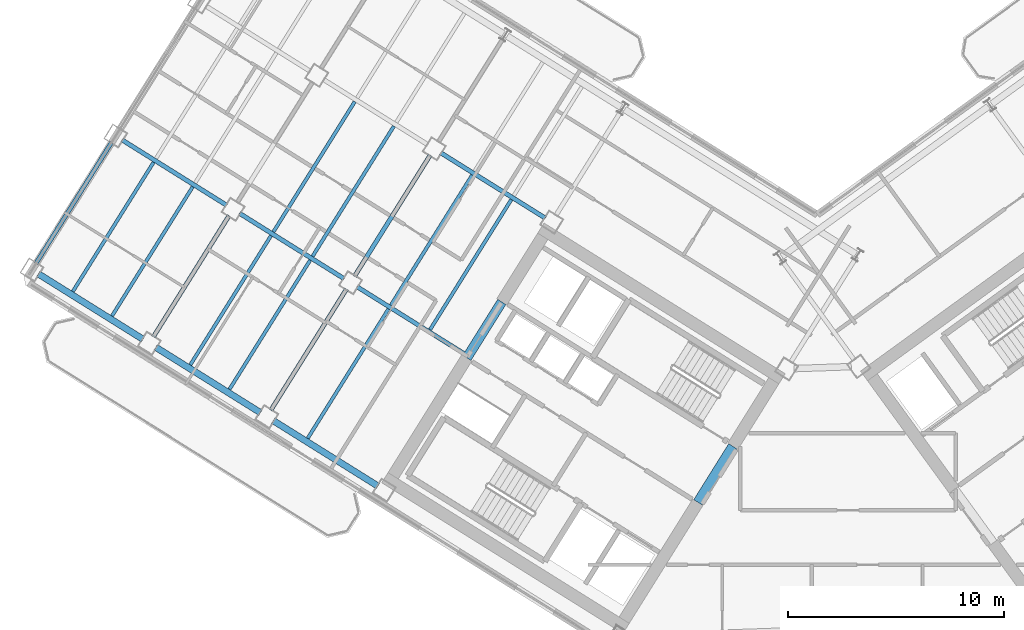
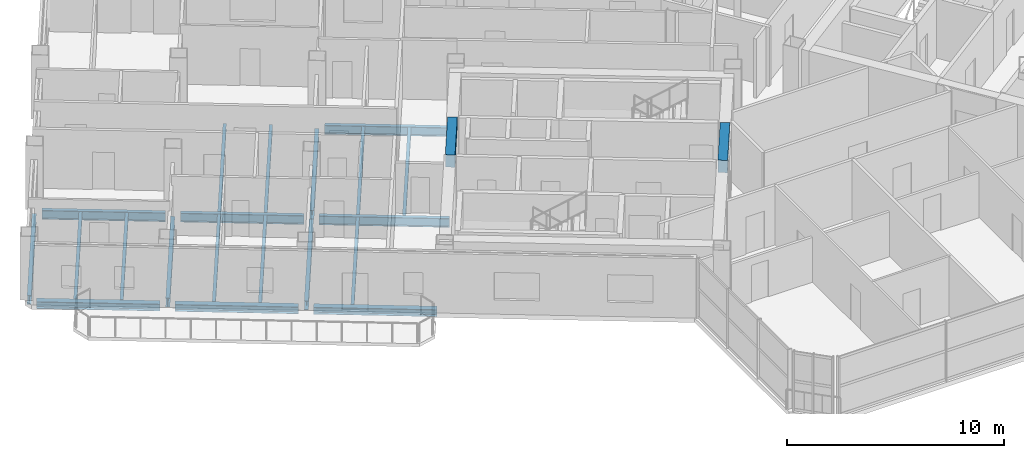
# One storey, part 5 of 21: 22 beams.
"""IFC4 building model written with IfcOpenShell, lengths in metres."""

import ifcopenshell
import ifcopenshell.guid

model = None  # the IFC model being written
_history = None  # IfcOwnerHistory: only IFC2X3 demands one
_inside = {}  # id of a spatial element -> (the spatial element, [elements in it])
_under = {}  # id of a project, library or spatial element -> (it, [spatial elements below it])
_declared = {}  # id of a project -> (the project, [libraries it declares])
_typed = {}  # id of a type object -> (the type object, [elements of that type])
_made_of = {}  # id of a material, layer set ... -> (it, [elements and type objects made of it])


def new_model(schema):
    """Start an empty IFC model of exactly this schema.

    Asked for "IFC4X3", IfcOpenShell would pick the latest addendum, in which some entities
    have other attributes; the version numbers below select the first issue.
    IFC2X3 requires an IfcOwnerHistory on every rooted entity: one is made here for all.
    """
    global model, _history
    if schema == "IFC4X3":
        model = ifcopenshell.file(schema_version=(4, 3, 0, 0))
    else:
        model = ifcopenshell.file(schema=schema)
    _inside.clear()
    _under.clear()
    _declared.clear()
    _typed.clear()
    _made_of.clear()
    _history = None
    if model.schema == "IFC2X3":
        org = make("IfcOrganization", Name="unknown")
        user = make(
            "IfcPersonAndOrganization",
            ThePerson=make("IfcPerson", FamilyName="unknown"),
            TheOrganization=org,
        )
        app = make(
            "IfcApplication",
            ApplicationDeveloper=org,
            Version="unknown",
            ApplicationFullName="unknown",
            ApplicationIdentifier="unknown",
        )
        _history = make(
            "IfcOwnerHistory",
            OwningUser=user,
            OwningApplication=app,
            ChangeAction="ADDED",
            CreationDate=0,
        )
    return model


def make(cls, **values):
    """One entity of the class cls with the attributes given. An attribute that is None is left unset."""
    return model.create_entity(
        cls, **{name: value for name, value in values.items() if value is not None}
    )


def rooted(cls, **values):
    """An entity with a GlobalId (a new one), such as an element, a storey or a relation."""
    return make(cls, GlobalId=ifcopenshell.guid.new(), OwnerHistory=_history, **values)


def si_unit(unit_type, name, prefix=None):
    """IfcSIUnit, for example si_unit("LENGTHUNIT", "METRE", prefix="MILLI")."""
    return make("IfcSIUnit", UnitType=unit_type, Prefix=prefix, Name=name)


def assignment(units):
    """IfcUnitAssignment: the units of a project."""
    return None if units is None else make("IfcUnitAssignment", Units=units)


def point(xyz):
    """IfcCartesianPoint."""
    return None if xyz is None else make("IfcCartesianPoint", Coordinates=xyz)


def direction(xyz):
    """IfcDirection."""
    return None if xyz is None else make("IfcDirection", DirectionRatios=xyz)


def frame(location, z_axis=None, x_axis=None):
    """IfcAxis2Placement3D, a coordinate frame: its origin and axes. An axis left out is left unset."""
    return make(
        "IfcAxis2Placement3D",
        Location=point(location),
        Axis=direction(z_axis),
        RefDirection=direction(x_axis),
    )


def frame_2d(location, x_axis=None):
    """IfcAxis2Placement2D, a coordinate frame in the plane: its origin and x axis."""
    return make(
        "IfcAxis2Placement2D", Location=point(location), RefDirection=direction(x_axis)
    )


def origin():
    """The frame at (0, 0, 0) with its axes left unset."""
    return frame((0.0, 0.0, 0.0))


def origin_2d():
    """The frame at (0, 0) in the plane with its x axis left unset."""
    return frame_2d((0.0, 0.0))


def place(relative_to, where):
    """IfcLocalPlacement: puts the frame where relative to a parent placement (None: the world)."""
    return make(
        "IfcLocalPlacement", PlacementRelTo=relative_to, RelativePlacement=where
    )


def context(
    kind, dimensions, precision=None, world=None, true_north=None, identifier=None
):
    """IfcGeometricRepresentationContext, for example the 3D "Model" context."""
    return make(
        "IfcGeometricRepresentationContext",
        ContextIdentifier=identifier,
        ContextType=kind,
        CoordinateSpaceDimension=dimensions,
        Precision=precision,
        WorldCoordinateSystem=world,
        TrueNorth=true_north,
    )


def subcontext(parent, identifier, kind, view, scale=None):
    """IfcGeometricRepresentationSubContext, for example "Body" below "Model"."""
    return make(
        "IfcGeometricRepresentationSubContext",
        ContextIdentifier=identifier,
        ContextType=kind,
        ParentContext=parent,
        TargetScale=scale,
        TargetView=view,
    )


def project(units=None, contexts=None):
    """IfcProject with its units and contexts."""
    return rooted(
        "IfcProject",
        Name="project",
        RepresentationContexts=contexts,
        UnitsInContext=assignment(units),
    )


def spatial(cls, under=None, at=None, **own):
    """A site, building, storey or space (cls), placed at a placement, below another one or the project."""
    s = rooted(cls, ObjectPlacement=at, **own)
    if under is not None:
        _under.setdefault(under.id(), (under, []))[1].append(s)
    return s


def profile(cls, at=None, kind="AREA", **sizes):
    """A parametric profile (cls). Its sizes go by their IFC names, for example OverallWidth=200.0."""
    return make(cls, ProfileType=kind, Position=at, **sizes)


def rectangle(**sizes):
    """IfcRectangleProfileDef."""
    return profile("IfcRectangleProfileDef", **sizes)


def i_section(**sizes):
    """IfcIShapeProfileDef."""
    return profile("IfcIShapeProfileDef", **sizes)


def extrude(swept, where, along, depth):
    """IfcExtrudedAreaSolid: the profile swept, set in the frame where, extruded along a direction by depth."""
    return make(
        "IfcExtrudedAreaSolid",
        SweptArea=swept,
        Position=where,
        ExtrudedDirection=direction(along),
        Depth=depth,
    )


def shape(context_of_items, identifier, shape_type, items):
    """IfcShapeRepresentation: the items that make up one representation, for example the "Body"."""
    return make(
        "IfcShapeRepresentation",
        ContextOfItems=context_of_items,
        RepresentationIdentifier=identifier,
        RepresentationType=shape_type,
        Items=items,
    )


def source(mapping_origin, context_of_items, identifier, shape_type, items):
    """IfcRepresentationMap: a shape defined once, which mapped items show again and again."""
    return make(
        "IfcRepresentationMap",
        MappingOrigin=mapping_origin,
        MappedRepresentation=shape(context_of_items, identifier, shape_type, items),
    )


def transform(
    local_origin,
    x_axis=None,
    y_axis=None,
    z_axis=None,
    scale=None,
    scale2=None,
    scale3=None,
    uniform=True,
):
    """IfcCartesianTransformationOperator3D, or its non-uniform kind. x_axis, y_axis, z_axis: its Axis1, 2, 3."""
    if uniform:
        return make(
            "IfcCartesianTransformationOperator3D",
            Axis1=direction(x_axis),
            Axis2=direction(y_axis),
            LocalOrigin=point(local_origin),
            Scale=scale,
            Axis3=direction(z_axis),
        )
    return make(
        "IfcCartesianTransformationOperator3DnonUniform",
        Axis1=direction(x_axis),
        Axis2=direction(y_axis),
        LocalOrigin=point(local_origin),
        Scale=scale,
        Axis3=direction(z_axis),
        Scale2=scale2,
        Scale3=scale3,
    )


def mapped(mapping_source, mapping_target):
    """IfcMappedItem: shows the shape of a source again, moved by a transform."""
    return make(
        "IfcMappedItem", MappingSource=mapping_source, MappingTarget=mapping_target
    )


def material(Name=None, Category=None):
    """IfcMaterial."""
    return make("IfcMaterial", Name=Name, Category=Category)


def material_profile(
    of_material, cross_section, Name=None, Category=None, Priority=None
):
    """IfcMaterialProfile: a cross section and its material."""
    return make(
        "IfcMaterialProfile",
        Name=Name,
        Material=of_material,
        Profile=cross_section,
        Priority=Priority,
        Category=Category,
    )


def profile_set(profiles, Name=None, composite=None):
    """IfcMaterialProfileSet."""
    return make(
        "IfcMaterialProfileSet",
        Name=Name,
        MaterialProfiles=profiles,
        CompositeProfile=composite,
    )


def made_of(thing, what):
    """Note that an element or type object is made of a material, layer set ...; save() writes the relation."""
    if what is not None:
        _made_of.setdefault(what.id(), (what, []))[1].append(thing)
    return thing


def type_object(cls, material=None, **own):
    """A type object (cls), such as IfcWallType, which elements share."""
    return made_of(rooted(cls, **own), material)


def element(
    cls,
    number,
    at=None,
    inside=None,
    cuts=None,
    type_object=None,
    material=None,
    context=None,
    identifier="Body",
    shape_type=None,
    held_by="IfcProductDefinitionShape",
    body=None,
    shapes=None,
    **own,
):
    """One element of the class cls, such as IfcWall. Its Tag is "e" and its number.

    at: its placement. inside: the storey or other place that contains it. cuts: it is an
    opening in that element (IfcRelVoidsElement). A single representation is given by context,
    identifier, shape_type and body (its items); several are given by shapes. held_by: the class
    of the entity that holds the representations. save() writes the other relations.
    """
    e = rooted(cls, Tag="e%d" % number, ObjectPlacement=at, **own)
    if body is not None:
        shapes = [shape(context, identifier, shape_type, body)]
    if shapes is not None:
        e.Representation = make(held_by, Representations=shapes)
    if inside is not None:
        _inside.setdefault(inside.id(), (inside, []))[1].append(e)
    if cuts is not None:
        rooted(
            "IfcRelVoidsElement", RelatingBuildingElement=cuts, RelatedOpeningElement=e
        )
    if type_object is not None:
        _typed.setdefault(type_object.id(), (type_object, []))[1].append(e)
    return made_of(e, material)


def aggregate(whole, parts):
    """IfcRelAggregates: a whole, such as a stair, and the parts it consists of."""
    return rooted("IfcRelAggregates", RelatingObject=whole, RelatedObjects=parts)


def save(model, path):
    """Write the relations noted so far, then the file.

    IfcRelAggregates (storeys below a building ...), IfcRelContainedInSpatialStructure (elements
    in a storey), IfcRelDefinesByType, IfcRelAssociatesMaterial and IfcRelDeclares: one each for
    every whole, place, type object, material and project.
    """
    for whole, parts in _under.values():
        aggregate(whole, parts)
    for where, things in _inside.values():
        rooted(
            "IfcRelContainedInSpatialStructure",
            RelatedElements=things,
            RelatingStructure=where,
        )
    for kind, things in _typed.values():
        rooted("IfcRelDefinesByType", RelatedObjects=things, RelatingType=kind)
    for what, things in _made_of.values():
        rooted("IfcRelAssociatesMaterial", RelatedObjects=things, RelatingMaterial=what)
    for by, libraries in _declared.values():
        rooted("IfcRelDeclares", RelatingContext=by, RelatedDefinitions=libraries)
    model.write(path)


model = new_model("IFC4")

# Units and contexts
model_context = context("Model", 3, precision=1e-05, world=origin(), true_north=direction((0.0, 1.0)))
body_context = subcontext(model_context, "Body", "Model", "MODEL_VIEW")
ifc_project = project(units=[si_unit("LENGTHUNIT", "METRE"), si_unit("AREAUNIT", "SQUARE_METRE"), si_unit("VOLUMEUNIT", "CUBIC_METRE"), si_unit("PLANEANGLEUNIT", "RADIAN"), si_unit("MASSUNIT", "GRAM", prefix="KILO")], contexts=[model_context])

# Site, building, storey
site_placement = place(None, origin())
site = spatial("IfcSite", under=ifc_project, at=site_placement, CompositionType="ELEMENT")
building_placement = place(site_placement, origin())
building = spatial("IfcBuilding", under=site, at=building_placement, Name="Tlacorven Tower", CompositionType="ELEMENT")
storey_placement = place(building_placement, frame((0.0, 0.0, 184.199951171875)))
storey = spatial("IfcBuildingStorey", under=building, at=storey_placement, Name="L46", CompositionType="ELEMENT", Elevation=184.199951171875)

# Beams
ifc_material_1 = material(Name="Concrete C60/75", Category="concrete")
ifc_material_profile_1 = material_profile(ifc_material_1, rectangle(XDim=0.449951171875, YDim=0.699951171875, at=origin_2d()), Name="RC 450X700")
ifc_profile_set_1 = profile_set([ifc_material_profile_1], Name="Concrete C60/75")
beam_type_1 = type_object("IfcBeamType", Name="BM-LNT-700", PredefinedType="LINTEL", material=ifc_profile_set_1)
shared_shape_1 = source(origin(), body_context, "Body", "SweptSolid", [
    extrude(rectangle(XDim=0.449951171875, YDim=0.699951171875, at=origin_2d()), origin(), (0.0, 0.0, 1.0), 3.050048828125),
])
beam_1_placement = place(storey_placement, frame((38.2998046875, 20.890625, 3.0), z_axis=(-0.529984549635, -0.848007297815, 0.0), x_axis=(0.848007297815, -0.529984549635, 0.0)))
element("IfcBeam", 1, at=beam_1_placement, inside=storey, type_object=beam_type_1, Name="L46 W core coupling lintel beam E1", PredefinedType="LINTEL", context=body_context, shape_type="MappedRepresentation", body=[
    mapped(shared_shape_1, transform((0.0, 0.0, 0.0), scale=1.0)),
])
shared_shape_2 = source(origin(), body_context, "Body", "SweptSolid", [
    extrude(rectangle(XDim=0.449951171875, YDim=0.699951171875, at=origin_2d()), origin(), (0.0, 0.0, 1.0), 3.0498046875),
])
beam_2_placement = place(storey_placement, frame((27.622802734375, 27.562255859375, 3.0), z_axis=(-0.529926983584, -0.848043272522, 0.0), x_axis=(0.848043272522, -0.529926983584, 0.0)))
element("IfcBeam", 2, at=beam_2_placement, inside=storey, type_object=beam_type_1, Name="L46 W core coupling lintel beam E2", PredefinedType="LINTEL", context=body_context, shape_type="MappedRepresentation", body=[
    mapped(shared_shape_2, transform((0.0, 0.0, 0.0), scale=1.0)),
])
ifc_material_2 = material(Name="Steel S355J2", Category="steel")
ifc_material_profile_2 = material_profile(ifc_material_2, i_section(OverallWidth=0.199951171875, OverallDepth=0.5, WebThickness=0.01025390625, FlangeThickness=0.01611328125, at=origin_2d()), Name="IPE 500")
ifc_profile_set_2 = profile_set([ifc_material_profile_2], Name="Steel S355J2")
beam_type_2 = type_object("IfcBeamType", Name="BM-TWR-500", PredefinedType="BEAM", material=ifc_profile_set_2)
shared_shape_3 = source(origin(), body_context, "Body", "SweptSolid", [
    extrude(i_section(OverallWidth=0.199951171875, OverallDepth=0.5, WebThickness=0.01025390625, FlangeThickness=0.01611328125, at=origin_2d()), origin(), (0.0, 0.0, 1.0), 6.010009765625),
])
beam_3_placement = place(storey_placement, frame((26.025634765625, 25.081787109375, -0.5), z_axis=(-0.848043944584, 0.529925908081, 0.0), x_axis=(-0.529925908081, -0.848043944584, 0.0)))
element("IfcBeam", 3, at=beam_3_placement, inside=storey, type_object=beam_type_2, Name="L46 beam BM-L46-WL3-3", PredefinedType="BEAM", context=body_context, shape_type="MappedRepresentation", body=[
    mapped(shared_shape_3, transform((0.0, 0.0, 0.0), scale=1.0)),
])
shared_shape_4 = source(origin(), body_context, "Body", "SweptSolid", [
    extrude(i_section(OverallWidth=0.199951171875, OverallDepth=0.5, WebThickness=0.01025390625, FlangeThickness=0.01611328125, at=origin_2d()), origin(), (0.0, 0.0, 1.0), 5.7001953125),
])
for number, where, z_axis, x_axis, name in (
    (4, (20.335205078125, 28.637451171875, -0.5), (-0.848036800771, 0.529937340199, 0.0), (-0.529937340199, -0.848036800771, 0.0), "L46 beam BM-L46-WL3-4"),
    (5, (14.90771484375, 32.029052734375, -0.5), (-0.848056048787, 0.529906537151, 0.0), (-0.529906537151, -0.848056048787, 0.0), "L46 beam BM-L46-WL3-5"),
):
    element("IfcBeam", number, at=place(storey_placement, frame(where, z_axis=z_axis, x_axis=x_axis)), inside=storey, type_object=beam_type_2, Name=name, PredefinedType="BEAM", context=body_context, shape_type="MappedRepresentation", body=[
        mapped(shared_shape_4, transform((0.0, 0.0, 0.0), scale=1.0)),
    ])
shared_shape_5 = source(origin(), body_context, "Body", "SweptSolid", [
    extrude(i_section(OverallWidth=0.199951171875, OverallDepth=0.5, WebThickness=0.01025390625, FlangeThickness=0.01611328125, at=origin_2d()), origin(), (0.0, 0.0, 1.0), 5.699951171875),
])
beam_4_placement = place(storey_placement, frame((29.631103515625, 31.436767578125, -0.5), z_axis=(-0.848044021115, 0.529925785607, 0.0), x_axis=(-0.529925785607, -0.848044021115, 0.0)))
element("IfcBeam", 6, at=beam_4_placement, inside=storey, type_object=beam_type_2, Name="L46 beam BM-L46-WL2-3", PredefinedType="BEAM", context=body_context, shape_type="MappedRepresentation", body=[
    mapped(shared_shape_5, transform((0.0, 0.0, 0.0), scale=1.0)),
])
shared_shape_6 = source(origin(), body_context, "Body", "SweptSolid", [
    extrude(i_section(OverallWidth=0.199951171875, OverallDepth=0.5, WebThickness=0.01025390625, FlangeThickness=0.01611328125, at=origin_2d()), origin(), (0.0, 0.0, 1.0), 6.599853515625),
])
beam_5_placement = place(storey_placement, frame((24.31494140625, 34.345947265625, -0.5), z_axis=(-0.529942412256, -0.848033631227, 0.0), x_axis=(0.848033631227, -0.529942412256, 0.0)))
element("IfcBeam", 7, at=beam_5_placement, inside=storey, type_object=beam_type_2, Name="L46 beam BM-L46-WT4-2", PredefinedType="BEAM", context=body_context, shape_type="MappedRepresentation", body=[
    mapped(shared_shape_6, transform((0.0, 0.0, 0.0), scale=1.0)),
])
shared_shape_7 = source(origin(), body_context, "Body", "SweptSolid", [
    extrude(i_section(OverallWidth=0.199951171875, OverallDepth=0.5, WebThickness=0.01025390625, FlangeThickness=0.01611328125, at=origin_2d()), origin(), (0.0, 0.0, 1.0), 6.60009765625),
])
for number, where, z_axis, x_axis, name in (
    (8, (20.446533203125, 28.1552734375, -0.5), (-0.529925788294, -0.848044019436, 0.0), (0.848044019436, -0.529925788294, 0.0), "L46 beam BM-L46-WT4-3"),
    (9, (15.01904296875, 31.546875, -0.5), (-0.529925788294, -0.848044019436, 0.0), (0.848044019436, -0.529925788294, 0.0), "L46 beam BM-L46-WT5-3"),
    (10, (9.591552734375, 34.938232421875, -0.5), (-0.529925788294, -0.848044019436, 0.0), (0.848044019436, -0.529925788294, 0.0), "L46 beam BM-L46-WT6-3"),
):
    element("IfcBeam", number, at=place(storey_placement, frame(where, z_axis=z_axis, x_axis=x_axis)), inside=storey, type_object=beam_type_2, Name=name, PredefinedType="BEAM", context=body_context, shape_type="MappedRepresentation", body=[
        mapped(shared_shape_7, transform((0.0, 0.0, 0.0), scale=1.0)),
    ])
ifc_material_profile_3 = material_profile(ifc_material_2, i_section(OverallWidth=0.159912109375, OverallDepth=0.330078125, WebThickness=0.007568359375, FlangeThickness=0.011474609375, at=origin_2d()), Name="IPE 330")
ifc_profile_set_3 = profile_set([ifc_material_profile_3], Name="Steel S355J2")
beam_type_3 = type_object("IfcBeamType", Name="BM-JST-330", PredefinedType="JOIST", material=ifc_profile_set_3)
shared_shape_8 = source(origin(), body_context, "Body", "SweptSolid", [
    extrude(i_section(OverallWidth=0.159912109375, OverallDepth=0.330078125, WebThickness=0.007568359375, FlangeThickness=0.011474609375, at=origin_2d()), origin(), (0.0, 0.0, 1.0), 7.0400390625),
])
for number, where, z_axis, x_axis, name in (
    (11, (18.767333984375, 29.493408203125, -0.4150390625), (-0.529930359501, -0.848041162963, 0.0), (0.848041162963, -0.529930359501, 0.0), "L46 beam BM-L46-WJ4-3-1"),
    (12, (16.9580078125, 30.6240234375, -0.4150390625), (-0.529930359501, -0.848041162963, 0.0), (0.848041162963, -0.529930359501, 0.0), "L46 beam BM-L46-WJ4-3-2"),
    (13, (13.33984375, 32.885009765625, -0.4150390625), (-0.529930359501, -0.848041162963, 0.0), (0.848041162963, -0.529930359501, 0.0), "L46 beam BM-L46-WJ5-3-1"),
):
    element("IfcBeam", number, at=place(storey_placement, frame(where, z_axis=z_axis, x_axis=x_axis)), inside=storey, type_object=beam_type_3, Name=name, PredefinedType="JOIST", context=body_context, shape_type="MappedRepresentation", body=[
        mapped(shared_shape_8, transform((0.0, 0.0, 0.0), scale=1.0)),
    ])
shared_shape_9 = source(origin(), body_context, "Body", "SweptSolid", [
    extrude(i_section(OverallWidth=0.159912109375, OverallDepth=0.330078125, WebThickness=0.007568359375, FlangeThickness=0.011474609375, at=origin_2d()), origin(), (0.0, 0.0, 1.0), 7.090087890625),
])
for number, where, z_axis, x_axis, name in (
    (14, (28.063232421875, 32.292724609375, -0.4150390625), (-0.529912270669, -0.84805246618, 0.0), (0.84805246618, -0.529912270669, 0.0), "L46 beam BM-L46-WJ3-2-1"),
    (15, (26.25390625, 33.42333984375, -0.4150390625), (-0.529912270669, -0.84805246618, 0.0), (0.84805246618, -0.529912270669, 0.0), "L46 beam BM-L46-WJ3-2-2"),
    (16, (22.6357421875, 35.684326171875, -0.4150390625), (-0.529937035031, -0.848036991471, 0.0), (0.848036991471, -0.529937035031, 0.0), "L46 beam BM-L46-WJ4-2-1"),
):
    element("IfcBeam", number, at=place(storey_placement, frame(where, z_axis=z_axis, x_axis=x_axis)), inside=storey, type_object=beam_type_3, Name=name, PredefinedType="JOIST", context=body_context, shape_type="MappedRepresentation", body=[
        mapped(shared_shape_9, transform((0.0, 0.0, 0.0), scale=1.0)),
    ])
shared_shape_10 = source(origin(), body_context, "Body", "SweptSolid", [
    extrude(i_section(OverallWidth=0.159912109375, OverallDepth=0.330078125, WebThickness=0.007568359375, FlangeThickness=0.011474609375, at=origin_2d()), origin(), (0.0, 0.0, 1.0), 7.08984375),
])
beam_6_placement = place(storey_placement, frame((20.826416015625, 36.814697265625, -0.4150390625), z_axis=(-0.529927745663, -0.848042796312, 0.0), x_axis=(0.848042796312, -0.529927745663, 0.0)))
element("IfcBeam", 17, at=beam_6_placement, inside=storey, type_object=beam_type_3, Name="L46 beam BM-L46-WJ4-2-2", PredefinedType="JOIST", context=body_context, shape_type="MappedRepresentation", body=[
    mapped(shared_shape_10, transform((0.0, 0.0, 0.0), scale=1.0)),
])
shared_shape_11 = source(origin(), body_context, "Body", "SweptSolid", [
    extrude(i_section(OverallWidth=0.159912109375, OverallDepth=0.330078125, WebThickness=0.007568359375, FlangeThickness=0.011474609375, at=origin_2d()), origin(), (0.0, 0.0, 1.0), 7.040283203125),
])
for number, where, z_axis, x_axis, name in (
    (18, (22.385498046875, 27.232666015625, -0.4150390625), (-0.529914775015, -0.848050901315, 0.0), (0.848050901315, -0.529914775015, 0.0), "L46 beam BM-L46-WJ3-3-2"),
    (19, (11.530517578125, 34.015625, -0.4150390625), (-0.529914775015, -0.848050901315, 0.0), (0.848050901315, -0.529914775015, 0.0), "L46 beam BM-L46-WJ5-3-2"),
):
    element("IfcBeam", number, at=place(storey_placement, frame(where, z_axis=z_axis, x_axis=x_axis)), inside=storey, type_object=beam_type_3, Name=name, PredefinedType="JOIST", context=body_context, shape_type="MappedRepresentation", body=[
        mapped(shared_shape_11, transform((0.0, 0.0, 0.0), scale=1.0)),
    ])
ifc_material_profile_4 = material_profile(ifc_material_2, i_section(OverallWidth=0.300048828125, OverallDepth=0.389892578125, WebThickness=0.010986328125, FlangeThickness=0.01904296875, at=origin_2d()), Name="HEA 400")
ifc_profile_set_4 = profile_set([ifc_material_profile_4], Name="Steel S355J2")
beam_type_4 = type_object("IfcBeamType", Name="BM-SPN-400", PredefinedType="SPANDREL", material=ifc_profile_set_4)
shared_shape_12 = source(origin(), body_context, "Body", "SweptSolid", [
    extrude(i_section(OverallWidth=0.300048828125, OverallDepth=0.389892578125, WebThickness=0.010986328125, FlangeThickness=0.01904296875, at=origin_2d()), origin(), (0.0, 0.0, 1.0), 5.699951171875),
])
beam_7_placement = place(storey_placement, frame((21.894287109375, 19.055419921875, -0.445068359375), z_axis=(-0.848044021115, 0.529925785607, 0.0), x_axis=(-0.529925785607, -0.848044021115, 0.0)))
element("IfcBeam", 20, at=beam_7_placement, inside=storey, type_object=beam_type_4, Name="L46 beam BM-L46-WL4-3", PredefinedType="SPANDREL", context=body_context, shape_type="MappedRepresentation", body=[
    mapped(shared_shape_12, transform((0.0, 0.0, 0.0), scale=1.0)),
])
shared_shape_13 = source(origin(), body_context, "Body", "SweptSolid", [
    extrude(i_section(OverallWidth=0.300048828125, OverallDepth=0.389892578125, WebThickness=0.010986328125, FlangeThickness=0.01904296875, at=origin_2d()), origin(), (0.0, 0.0, 1.0), 5.7001953125),
])
for number, where, z_axis, x_axis, name in (
    (21, (16.466796875, 22.44677734375, -0.445068359375), (-0.848056048787, 0.529906537151, 0.0), (-0.529906537151, -0.848056048787, 0.0), "L46 beam BM-L46-WL4-4"),
    (22, (11.039306640625, 25.83837890625, -0.445068359375), (-0.848056048787, 0.529906537151, 0.0), (-0.529906537151, -0.848056048787, 0.0), "L46 beam BM-L46-WL4-5"),
):
    element("IfcBeam", number, at=place(storey_placement, frame(where, z_axis=z_axis, x_axis=x_axis)), inside=storey, type_object=beam_type_4, Name=name, PredefinedType="SPANDREL", context=body_context, shape_type="MappedRepresentation", body=[
        mapped(shared_shape_13, transform((0.0, 0.0, 0.0), scale=1.0)),
    ])

save(model, "model.ifc")
